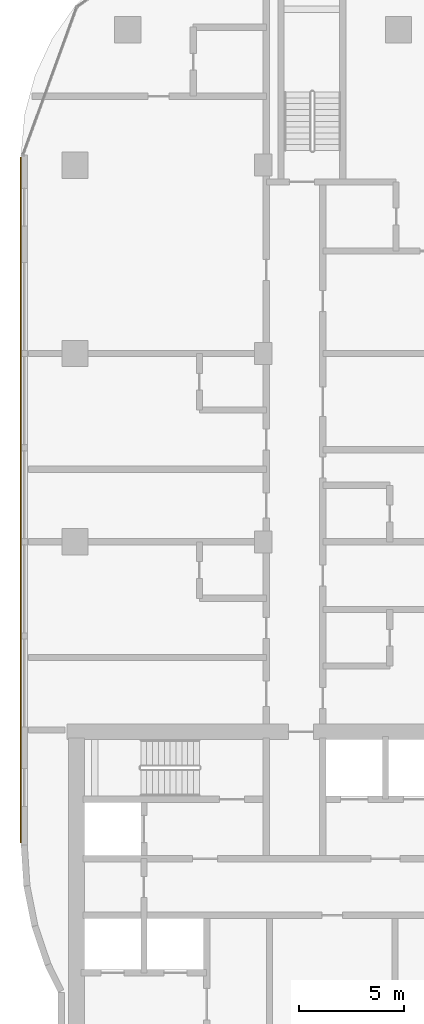
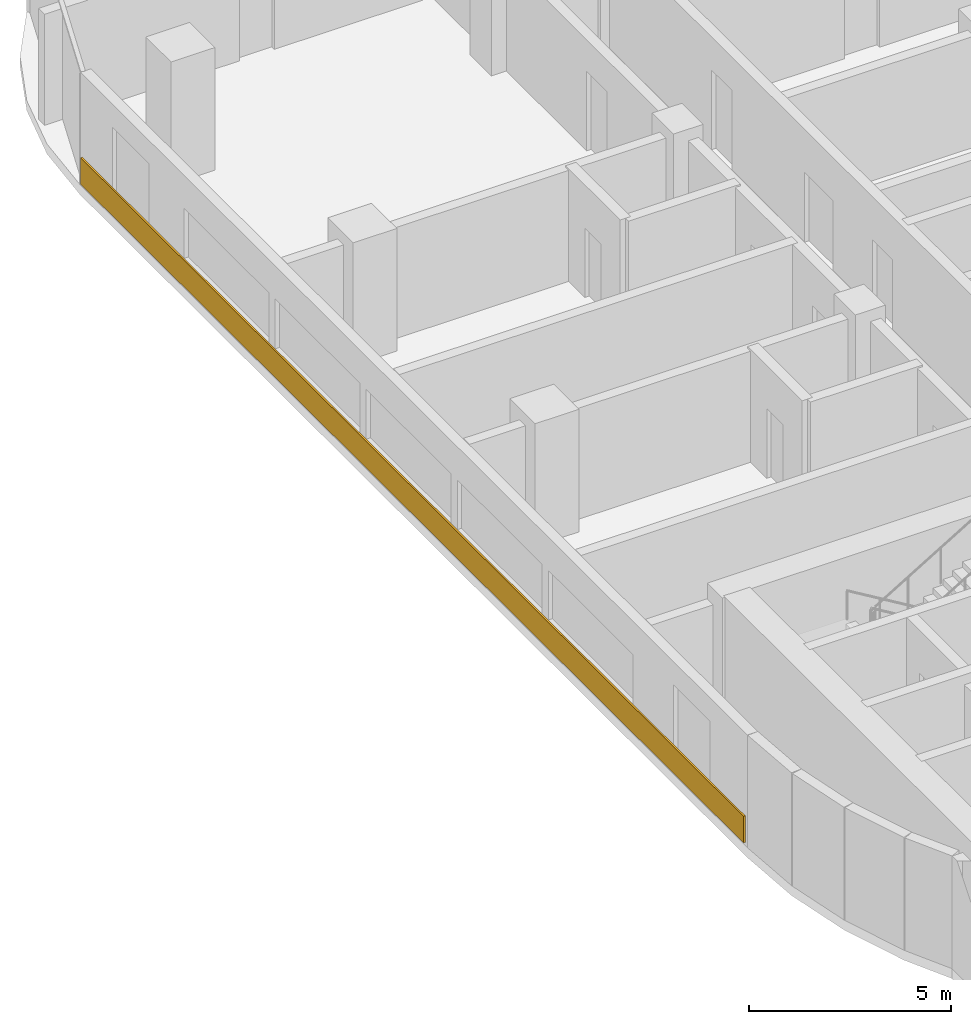
# One storey, part 19 of 23: 1 covering.
"""IFC4 building model written with IfcOpenShell, lengths in metres."""

from ifc_helpers import new_model, si_unit, direction, frame, origin, origin_2d, place, context, subcontext, project, spatial, rectangle, extrude, material, layer, layer_set, type_object, element, save


model = new_model("IFC4")

# Units and contexts
model_context = context("Model", 3, precision=1e-05, world=origin(), true_north=direction((0.0, 1.0)))
body_context = subcontext(model_context, "Body", "Model", "MODEL_VIEW")
ifc_project = project(units=[si_unit("LENGTHUNIT", "METRE"), si_unit("AREAUNIT", "SQUARE_METRE"), si_unit("VOLUMEUNIT", "CUBIC_METRE"), si_unit("PLANEANGLEUNIT", "RADIAN"), si_unit("MASSUNIT", "GRAM", prefix="KILO")], contexts=[model_context])

# Site, building, storey
site_placement = place(None, origin())
site = spatial("IfcSite", under=ifc_project, at=site_placement, CompositionType="ELEMENT")
building_placement = place(site_placement, origin())
building = spatial("IfcBuilding", under=site, at=building_placement, Name="Ogive Portal Towers", CompositionType="ELEMENT")
storey_placement = place(building_placement, frame((0.0, 0.0, 120.39990234375)))
storey = spatial("IfcBuildingStorey", under=building, at=storey_placement, Name="L29", CompositionType="ELEMENT", Elevation=120.39990234375)

# Covering
ifc_material = material(Name="Limestone cladding on lightweight block wall", Category="masonry")
ifc_layer = layer(ifc_material, 0.050048828125)
ifc_layer_set = layer_set([ifc_layer], Name="SCREEN PERFORATED STONE")
covering_type = type_object("IfcCoveringType", Name="SCREEN PERFORATED STONE", PredefinedType="CLADDING", material=ifc_layer_set)
covering_placement = place(storey_placement, frame((28.89990234375, 50.497802734375, 0.10009765625), z_axis=(0.0, 0.0, 1.0), x_axis=(0.0, -1.0, 0.0)))
element("IfcCovering", 1, at=covering_placement, inside=storey, type_object=covering_type, Name="Tracery screen", PredefinedType="CLADDING", context=body_context, shape_type="SweptSolid", body=[
    extrude(rectangle(XDim=32.776123046875, YDim=0.050048828125, at=origin_2d()), origin(), (0.0, 0.0, 1.0), 0.800048828125),
])

save(model, "model.ifc")
